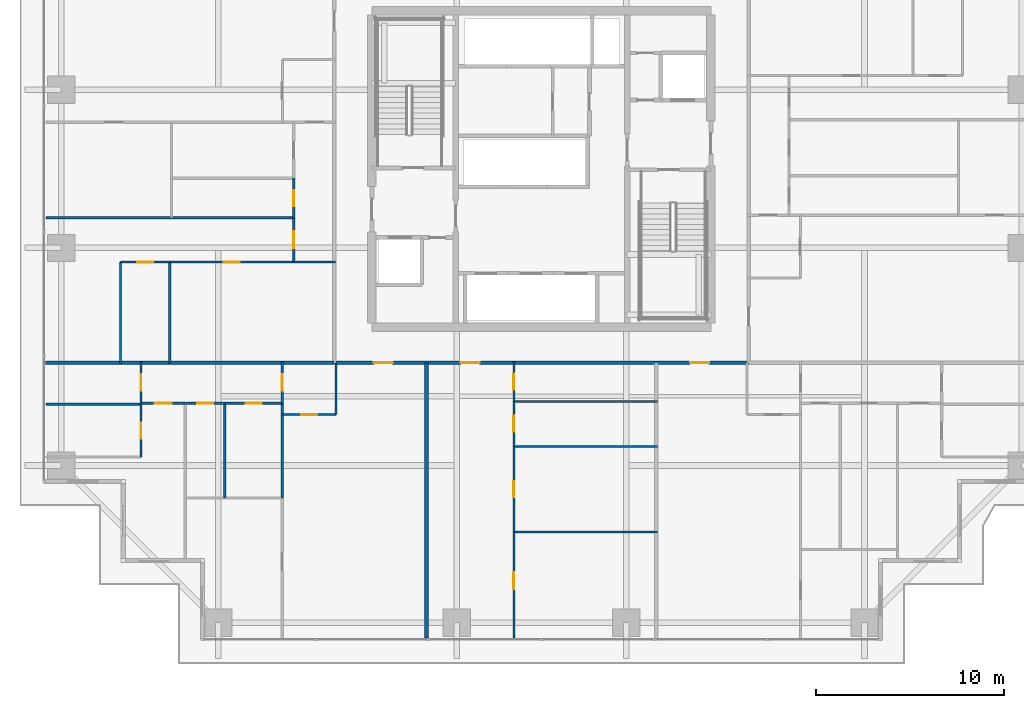
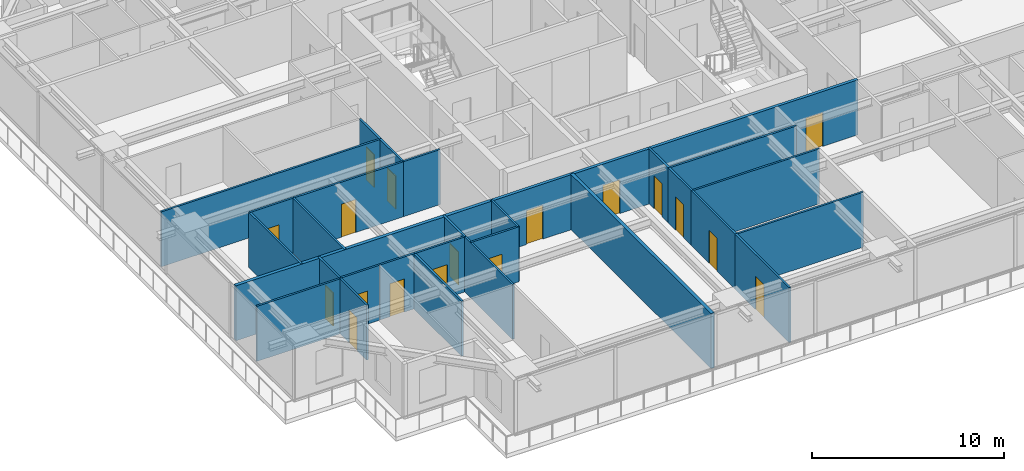
# One storey, part 26 of 37: 29 walls, 18 doors, 18 openings.
"""IFC4 building model written with IfcOpenShell, lengths in metres."""

import ifcopenshell
import ifcopenshell.guid

model = None  # the IFC model being written
_history = None  # IfcOwnerHistory: only IFC2X3 demands one
_inside = {}  # id of a spatial element -> (the spatial element, [elements in it])
_under = {}  # id of a project, library or spatial element -> (it, [spatial elements below it])
_declared = {}  # id of a project -> (the project, [libraries it declares])
_typed = {}  # id of a type object -> (the type object, [elements of that type])
_made_of = {}  # id of a material, layer set ... -> (it, [elements and type objects made of it])


def new_model(schema):
    """Start an empty IFC model of exactly this schema.

    Asked for "IFC4X3", IfcOpenShell would pick the latest addendum, in which some entities
    have other attributes; the version numbers below select the first issue.
    IFC2X3 requires an IfcOwnerHistory on every rooted entity: one is made here for all.
    """
    global model, _history
    if schema == "IFC4X3":
        model = ifcopenshell.file(schema_version=(4, 3, 0, 0))
    else:
        model = ifcopenshell.file(schema=schema)
    _inside.clear()
    _under.clear()
    _declared.clear()
    _typed.clear()
    _made_of.clear()
    _history = None
    if model.schema == "IFC2X3":
        org = make("IfcOrganization", Name="unknown")
        user = make(
            "IfcPersonAndOrganization",
            ThePerson=make("IfcPerson", FamilyName="unknown"),
            TheOrganization=org,
        )
        app = make(
            "IfcApplication",
            ApplicationDeveloper=org,
            Version="unknown",
            ApplicationFullName="unknown",
            ApplicationIdentifier="unknown",
        )
        _history = make(
            "IfcOwnerHistory",
            OwningUser=user,
            OwningApplication=app,
            ChangeAction="ADDED",
            CreationDate=0,
        )
    return model


def make(cls, **values):
    """One entity of the class cls with the attributes given. An attribute that is None is left unset."""
    return model.create_entity(
        cls, **{name: value for name, value in values.items() if value is not None}
    )


def rooted(cls, **values):
    """An entity with a GlobalId (a new one), such as an element, a storey or a relation."""
    return make(cls, GlobalId=ifcopenshell.guid.new(), OwnerHistory=_history, **values)


def si_unit(unit_type, name, prefix=None):
    """IfcSIUnit, for example si_unit("LENGTHUNIT", "METRE", prefix="MILLI")."""
    return make("IfcSIUnit", UnitType=unit_type, Prefix=prefix, Name=name)


def assignment(units):
    """IfcUnitAssignment: the units of a project."""
    return None if units is None else make("IfcUnitAssignment", Units=units)


def point(xyz):
    """IfcCartesianPoint."""
    return None if xyz is None else make("IfcCartesianPoint", Coordinates=xyz)


def direction(xyz):
    """IfcDirection."""
    return None if xyz is None else make("IfcDirection", DirectionRatios=xyz)


def frame(location, z_axis=None, x_axis=None):
    """IfcAxis2Placement3D, a coordinate frame: its origin and axes. An axis left out is left unset."""
    return make(
        "IfcAxis2Placement3D",
        Location=point(location),
        Axis=direction(z_axis),
        RefDirection=direction(x_axis),
    )


def frame_2d(location, x_axis=None):
    """IfcAxis2Placement2D, a coordinate frame in the plane: its origin and x axis."""
    return make(
        "IfcAxis2Placement2D", Location=point(location), RefDirection=direction(x_axis)
    )


def origin():
    """The frame at (0, 0, 0) with its axes left unset."""
    return frame((0.0, 0.0, 0.0))


def place(relative_to, where):
    """IfcLocalPlacement: puts the frame where relative to a parent placement (None: the world)."""
    return make(
        "IfcLocalPlacement", PlacementRelTo=relative_to, RelativePlacement=where
    )


def context(
    kind, dimensions, precision=None, world=None, true_north=None, identifier=None
):
    """IfcGeometricRepresentationContext, for example the 3D "Model" context."""
    return make(
        "IfcGeometricRepresentationContext",
        ContextIdentifier=identifier,
        ContextType=kind,
        CoordinateSpaceDimension=dimensions,
        Precision=precision,
        WorldCoordinateSystem=world,
        TrueNorth=true_north,
    )


def subcontext(parent, identifier, kind, view, scale=None):
    """IfcGeometricRepresentationSubContext, for example "Body" below "Model"."""
    return make(
        "IfcGeometricRepresentationSubContext",
        ContextIdentifier=identifier,
        ContextType=kind,
        ParentContext=parent,
        TargetScale=scale,
        TargetView=view,
    )


def project(units=None, contexts=None):
    """IfcProject with its units and contexts."""
    return rooted(
        "IfcProject",
        Name="project",
        RepresentationContexts=contexts,
        UnitsInContext=assignment(units),
    )


def spatial(cls, under=None, at=None, **own):
    """A site, building, storey or space (cls), placed at a placement, below another one or the project."""
    s = rooted(cls, ObjectPlacement=at, **own)
    if under is not None:
        _under.setdefault(under.id(), (under, []))[1].append(s)
    return s


def profile(cls, at=None, kind="AREA", **sizes):
    """A parametric profile (cls). Its sizes go by their IFC names, for example OverallWidth=200.0."""
    return make(cls, ProfileType=kind, Position=at, **sizes)


def rectangle(**sizes):
    """IfcRectangleProfileDef."""
    return profile("IfcRectangleProfileDef", **sizes)


def extrude(swept, where, along, depth):
    """IfcExtrudedAreaSolid: the profile swept, set in the frame where, extruded along a direction by depth."""
    return make(
        "IfcExtrudedAreaSolid",
        SweptArea=swept,
        Position=where,
        ExtrudedDirection=direction(along),
        Depth=depth,
    )


def shape(context_of_items, identifier, shape_type, items):
    """IfcShapeRepresentation: the items that make up one representation, for example the "Body"."""
    return make(
        "IfcShapeRepresentation",
        ContextOfItems=context_of_items,
        RepresentationIdentifier=identifier,
        RepresentationType=shape_type,
        Items=items,
    )


def source(mapping_origin, context_of_items, identifier, shape_type, items):
    """IfcRepresentationMap: a shape defined once, which mapped items show again and again."""
    return make(
        "IfcRepresentationMap",
        MappingOrigin=mapping_origin,
        MappedRepresentation=shape(context_of_items, identifier, shape_type, items),
    )


def transform(
    local_origin,
    x_axis=None,
    y_axis=None,
    z_axis=None,
    scale=None,
    scale2=None,
    scale3=None,
    uniform=True,
):
    """IfcCartesianTransformationOperator3D, or its non-uniform kind. x_axis, y_axis, z_axis: its Axis1, 2, 3."""
    if uniform:
        return make(
            "IfcCartesianTransformationOperator3D",
            Axis1=direction(x_axis),
            Axis2=direction(y_axis),
            LocalOrigin=point(local_origin),
            Scale=scale,
            Axis3=direction(z_axis),
        )
    return make(
        "IfcCartesianTransformationOperator3DnonUniform",
        Axis1=direction(x_axis),
        Axis2=direction(y_axis),
        LocalOrigin=point(local_origin),
        Scale=scale,
        Axis3=direction(z_axis),
        Scale2=scale2,
        Scale3=scale3,
    )


def mapped(mapping_source, mapping_target):
    """IfcMappedItem: shows the shape of a source again, moved by a transform."""
    return make(
        "IfcMappedItem", MappingSource=mapping_source, MappingTarget=mapping_target
    )


def material(Name=None, Category=None):
    """IfcMaterial."""
    return make("IfcMaterial", Name=Name, Category=Category)


def layer(
    of_material, thickness, ventilated=None, Name=None, Category=None, Priority=None
):
    """IfcMaterialLayer: one layer of a wall or slab, of a material (None: an air gap)."""
    return make(
        "IfcMaterialLayer",
        Material=of_material,
        LayerThickness=thickness,
        IsVentilated=ventilated,
        Name=Name,
        Category=Category,
        Priority=Priority,
    )


def layer_set(layers, Name=None):
    """IfcMaterialLayerSet."""
    return make("IfcMaterialLayerSet", MaterialLayers=layers, LayerSetName=Name)


def made_of(thing, what):
    """Note that an element or type object is made of a material, layer set ...; save() writes the relation."""
    if what is not None:
        _made_of.setdefault(what.id(), (what, []))[1].append(thing)
    return thing


def type_object(cls, material=None, **own):
    """A type object (cls), such as IfcWallType, which elements share."""
    return made_of(rooted(cls, **own), material)


def element(
    cls,
    number,
    at=None,
    inside=None,
    cuts=None,
    type_object=None,
    material=None,
    context=None,
    identifier="Body",
    shape_type=None,
    held_by="IfcProductDefinitionShape",
    body=None,
    shapes=None,
    **own,
):
    """One element of the class cls, such as IfcWall. Its Tag is "e" and its number.

    at: its placement. inside: the storey or other place that contains it. cuts: it is an
    opening in that element (IfcRelVoidsElement). A single representation is given by context,
    identifier, shape_type and body (its items); several are given by shapes. held_by: the class
    of the entity that holds the representations. save() writes the other relations.
    """
    e = rooted(cls, Tag="e%d" % number, ObjectPlacement=at, **own)
    if body is not None:
        shapes = [shape(context, identifier, shape_type, body)]
    if shapes is not None:
        e.Representation = make(held_by, Representations=shapes)
    if inside is not None:
        _inside.setdefault(inside.id(), (inside, []))[1].append(e)
    if cuts is not None:
        rooted(
            "IfcRelVoidsElement", RelatingBuildingElement=cuts, RelatedOpeningElement=e
        )
    if type_object is not None:
        _typed.setdefault(type_object.id(), (type_object, []))[1].append(e)
    return made_of(e, material)


def fill(opening, filler):
    """IfcRelFillsElement: the door or window that sits in an opening."""
    return rooted(
        "IfcRelFillsElement",
        RelatingOpeningElement=opening,
        RelatedBuildingElement=filler,
    )


def aggregate(whole, parts):
    """IfcRelAggregates: a whole, such as a stair, and the parts it consists of."""
    return rooted("IfcRelAggregates", RelatingObject=whole, RelatedObjects=parts)


def save(model, path):
    """Write the relations noted so far, then the file.

    IfcRelAggregates (storeys below a building ...), IfcRelContainedInSpatialStructure (elements
    in a storey), IfcRelDefinesByType, IfcRelAssociatesMaterial and IfcRelDeclares: one each for
    every whole, place, type object, material and project.
    """
    for whole, parts in _under.values():
        aggregate(whole, parts)
    for where, things in _inside.values():
        rooted(
            "IfcRelContainedInSpatialStructure",
            RelatedElements=things,
            RelatingStructure=where,
        )
    for kind, things in _typed.values():
        rooted("IfcRelDefinesByType", RelatedObjects=things, RelatingType=kind)
    for what, things in _made_of.values():
        rooted("IfcRelAssociatesMaterial", RelatedObjects=things, RelatingMaterial=what)
    for by, libraries in _declared.values():
        rooted("IfcRelDeclares", RelatingContext=by, RelatedDefinitions=libraries)
    model.write(path)


model = new_model("IFC4")

# Units and contexts
model_context = context("Model", 3, precision=1e-05, world=origin(), true_north=direction((0.0, 1.0)))
body_context = subcontext(model_context, "Body", "Model", "MODEL_VIEW")
ifc_project = project(units=[si_unit("LENGTHUNIT", "METRE"), si_unit("AREAUNIT", "SQUARE_METRE"), si_unit("VOLUMEUNIT", "CUBIC_METRE"), si_unit("PLANEANGLEUNIT", "RADIAN"), si_unit("MASSUNIT", "GRAM", prefix="KILO")], contexts=[model_context])

# Site, building, storey
site_placement = place(None, origin())
site = spatial("IfcSite", under=ifc_project, at=site_placement, CompositionType="ELEMENT")
building_placement = place(site_placement, origin())
building = spatial("IfcBuilding", under=site, at=building_placement, Name="Serunith Strait Residences", CompositionType="ELEMENT")
storey_placement = place(building_placement, frame((0.0, 0.0, 26.699951171875)))
storey = spatial("IfcBuildingStorey", under=building, at=storey_placement, Name="L05", CompositionType="ELEMENT", Elevation=26.699951171875)

# Wall, openings, doors
ifc_material_1 = material(Name="Fire-rated acoustic gypsum partition")
ifc_layer_1 = layer(ifc_material_1, 0.179931640625, Name="Fire-rated acoustic gypsum partition")
ifc_layer_set_1 = layer_set([ifc_layer_1], Name="Fire-rated acoustic gypsum partition")
wall_type_1 = type_object("IfcWallType", Name="IW-CORR-180", PredefinedType="PARTITIONING", material=ifc_layer_set_1)
wall_1_placement = place(storey_placement, frame((21.402099609375, 14.89990234375, 0.0), z_axis=(0.0, 0.0, 1.0), x_axis=(1.0, 0.0, 0.0)))
wall_1 = element("IfcWall", 1, at=wall_1_placement, inside=storey, type_object=wall_type_1, Name="L05 Partition Wall 023", PredefinedType="PARTITIONING", context=body_context, shape_type="SweptSolid", body=[
    extrude(rectangle(XDim=21.995849609375, YDim=0.179931640625, at=frame_2d((10.998046875, 0.0))), origin(), (0.0, 0.0, 1.0), 3.489990234375),
])
opening_1_placement = place(wall_1_placement, frame((2.10009765625, 0.0, 0.0)))
opening_1 = element("IfcOpeningElement", 2, at=opening_1_placement, cuts=wall_1, Name="Opening D-APT1000", PredefinedType="OPENING", context=body_context, shape_type="SweptSolid", body=[
    extrude(rectangle(XDim=1.0, YDim=2.14990234375, at=frame_2d((0.5, 1.074951171875))), frame((0.0, 0.10009765625, 0.0), z_axis=(0.0, -1.0, 0.0), x_axis=(1.0, 0.0, 0.0)), (0.0, 0.0, 1.0), 0.199951171875),
])
opening_2_placement = place(wall_1_placement, frame((6.718994140625, 0.0, 0.0)))
opening_2 = element("IfcOpeningElement", 3, at=opening_2_placement, cuts=wall_1, Name="Opening D-APT1000", PredefinedType="OPENING", context=body_context, shape_type="SweptSolid", body=[
    extrude(rectangle(XDim=1.0, YDim=2.14990234375, at=frame_2d((0.5, 1.074951171875))), frame((0.0, 0.10009765625, 0.0), z_axis=(0.0, -1.0, 0.0), x_axis=(1.0, 0.0, 0.0)), (0.0, 0.0, 1.0), 0.199951171875),
])
opening_3_placement = place(wall_1_placement, frame((18.89599609375, 0.0, 0.0)))
opening_3 = element("IfcOpeningElement", 4, at=opening_3_placement, cuts=wall_1, Name="Opening D-APT1000", PredefinedType="OPENING", context=body_context, shape_type="SweptSolid", body=[
    extrude(rectangle(XDim=1.0, YDim=2.14990234375, at=frame_2d((0.5, 1.074951171875))), frame((0.0, 0.10009765625, 0.0), z_axis=(0.0, -1.0, 0.0), x_axis=(1.0, 0.0, 0.0)), (0.0, 0.0, 1.0), 0.199951171875),
])
ifc_material_2 = material(Name="Solid timber engineered fire door", Category="wood")
door_type_1 = type_object("IfcDoorType", Name="ID-APT-1000", OperationType="NOTDEFINED", PredefinedType="DOOR", material=ifc_material_2)
shared_shape_1 = source(origin(), body_context, "Body", "SweptSolid", [
    extrude(rectangle(XDim=1.0, YDim=2.14990234375, at=frame_2d((0.5, 1.074951171875))), frame((0.0, 0.02490234375, 0.0), z_axis=(0.0, -1.0, 0.0), x_axis=(1.0, 0.0, 0.0)), (0.0, 0.0, 1.0), 0.050048828125),
])
door_1_placement = place(opening_1_placement, origin())
door_1 = element("IfcDoor", 5, at=door_1_placement, inside=storey, type_object=door_type_1, Name="L05 Unit 01 Entrance Door", OperationType="SINGLE_SWING_LEFT", OverallHeight=2.14990234375, OverallWidth=1.0, PredefinedType="DOOR", context=body_context, shape_type="MappedRepresentation", body=[
    mapped(shared_shape_1, transform((0.0, 0.0, 0.0), scale=1.0)),
])
fill(opening_1, door_1)
door_2_placement = place(opening_2_placement, origin())
door_2 = element("IfcDoor", 6, at=door_2_placement, inside=storey, type_object=door_type_1, Name="L05 Unit 02 Entrance Door", OperationType="SINGLE_SWING_RIGHT", OverallHeight=2.14990234375, OverallWidth=1.0, PredefinedType="DOOR", context=body_context, shape_type="MappedRepresentation", body=[
    mapped(shared_shape_1, transform((0.0, 0.0, 0.0), scale=1.0)),
])
fill(opening_2, door_2)
door_3_placement = place(opening_3_placement, origin())
door_3 = element("IfcDoor", 7, at=door_3_placement, inside=storey, type_object=door_type_1, Name="L05 Unit 03 Entrance Door", OperationType="SINGLE_SWING_LEFT", OverallHeight=2.14990234375, OverallWidth=1.0, PredefinedType="DOOR", context=body_context, shape_type="MappedRepresentation", body=[
    mapped(shared_shape_1, transform((0.0, 0.0, 0.0), scale=1.0)),
])
fill(opening_3, door_3)

# Wall, opening, door
ifc_material_3 = material(Name="Lightweight steel-stud gypsum partition", Category="steel")
ifc_layer_2 = layer(ifc_material_3, 0.1201171875, Name="Lightweight steel-stud gypsum partition")
ifc_layer_set_2 = layer_set([ifc_layer_2], Name="Lightweight steel-stud gypsum partition")
wall_type_2 = type_object("IfcWallType", Name="IW-PART-120", PredefinedType="PARTITIONING", material=ifc_layer_set_2)
wall_2_placement = place(storey_placement, frame((18.639892578125, 12.14990234375, 0.0), z_axis=(0.0, 0.0, 1.0), x_axis=(1.0, 0.0, 0.0)))
wall_2 = element("IfcWall", 8, at=wall_2_placement, inside=storey, type_object=wall_type_2, Name="L05 Partition Wall 027", PredefinedType="PARTITIONING", context=body_context, shape_type="SweptSolid", body=[
    extrude(rectangle(XDim=2.85009765625, YDim=0.1201171875, at=frame_2d((1.425048828125, 0.0))), origin(), (0.0, 0.0, 1.0), 3.489990234375),
])
opening_4_placement = place(wall_2_placement, frame((1.0, 0.0, 0.0)))
opening_4 = element("IfcOpeningElement", 9, at=opening_4_placement, cuts=wall_2, Name="Opening D-RM850", PredefinedType="OPENING", context=body_context, shape_type="SweptSolid", body=[
    extrude(rectangle(XDim=0.85009765625, YDim=2.10009765625, at=frame_2d((0.425048828125, 1.050048828125))), frame((0.0, 0.070068359375, 0.0), z_axis=(0.0, -1.0, 0.0), x_axis=(1.0, 0.0, 0.0)), (0.0, 0.0, 1.0), 0.14013671875),
])
ifc_material_4 = material(Name="Engineered timber flush study and kitchen door", Category="wood")
door_type_2 = type_object("IfcDoorType", Name="ID-ROOM-850", OperationType="NOTDEFINED", PredefinedType="DOOR", material=ifc_material_4)
shared_shape_2 = source(origin(), body_context, "Body", "SweptSolid", [
    extrude(rectangle(XDim=0.85009765625, YDim=2.10009765625, at=frame_2d((0.425048828125, 1.050048828125))), frame((0.0, 0.02490234375, 0.0), z_axis=(0.0, -1.0, 0.0), x_axis=(1.0, 0.0, 0.0)), (0.0, 0.0, 1.0), 0.050048828125),
])
door_4_placement = place(opening_4_placement, origin())
door_4 = element("IfcDoor", 10, at=door_4_placement, inside=storey, type_object=door_type_2, Name="L05 Kitchen 0501 Door", OperationType="SINGLE_SWING_LEFT", OverallHeight=2.10009765625, OverallWidth=0.85009765625, PredefinedType="DOOR", context=body_context, shape_type="MappedRepresentation", body=[
    mapped(shared_shape_2, transform((0.0, 0.0, 0.0), scale=1.0)),
])
fill(opening_4, door_4)

# Wall
wall_3_placement = place(storey_placement, frame((21.489990234375, 12.14990234375, 0.0), z_axis=(0.0, 0.0, 1.0), x_axis=(0.0, 1.0, 0.0)))
element("IfcWall", 11, at=wall_3_placement, inside=storey, type_object=wall_type_2, Name="L05 Partition Wall 028", PredefinedType="PARTITIONING", context=body_context, shape_type="SweptSolid", body=[
    extrude(rectangle(XDim=2.748046875, YDim=0.1201171875, at=frame_2d((1.3740234375, 0.0))), origin(), (0.0, 0.0, 1.0), 3.489990234375),
])

# Wall, opening, door
wall_4_placement = place(storey_placement, frame((18.639892578125, 12.75, 0.0), z_axis=(0.0, 0.0, 1.0), x_axis=(0.0, 1.0, 0.0)))
wall_4 = element("IfcWall", 12, at=wall_4_placement, inside=storey, type_object=wall_type_2, Name="L05 Partition Wall 029", PredefinedType="PARTITIONING", context=body_context, shape_type="SweptSolid", body=[
    extrude(rectangle(XDim=2.2099609375, YDim=0.1201171875, at=frame_2d((1.10498046875, 0.0))), origin(), (0.0, 0.0, 1.0), 3.489990234375),
])
opening_5_placement = place(wall_4_placement, frame((0.655029296875, 0.0, 0.0)))
opening_5 = element("IfcOpeningElement", 13, at=opening_5_placement, cuts=wall_4, Name="Opening D-RM900", PredefinedType="OPENING", context=body_context, shape_type="SweptSolid", body=[
    extrude(rectangle(XDim=0.89990234375, YDim=2.10009765625, at=frame_2d((0.449951171875, 1.050048828125))), frame((0.0, 0.070068359375, 0.0), z_axis=(0.0, -1.0, 0.0), x_axis=(1.0, 0.0, 0.0)), (0.0, 0.0, 1.0), 0.14013671875),
])
ifc_material_5 = material(Name="Engineered timber flush bedroom door", Category="wood")
door_type_3 = type_object("IfcDoorType", Name="ID-ROOM-900", OperationType="NOTDEFINED", PredefinedType="DOOR", material=ifc_material_5)
shared_shape_3 = source(origin(), body_context, "Body", "SweptSolid", [
    extrude(rectangle(XDim=0.89990234375, YDim=2.10009765625, at=frame_2d((0.449951171875, 1.050048828125))), frame((0.0, 0.02490234375, 0.0), z_axis=(0.0, -1.0, 0.0), x_axis=(1.0, 0.0, 0.0)), (0.0, 0.0, 1.0), 0.050048828125),
])
door_5_placement = place(opening_5_placement, origin())
door_5 = element("IfcDoor", 14, at=door_5_placement, inside=storey, type_object=door_type_3, Name="L05 Hall W 0501 Door", OperationType="SINGLE_SWING_RIGHT", OverallHeight=2.10009765625, OverallWidth=0.89990234375, PredefinedType="DOOR", context=body_context, shape_type="MappedRepresentation", body=[
    mapped(shared_shape_3, transform((0.0, 0.0, 0.0), scale=1.0)),
])
fill(opening_5, door_5)

# Walls
wall_5_placement = place(storey_placement, frame((18.639892578125, 7.72998046875, 0.0), z_axis=(0.0, 0.0, 1.0), x_axis=(0.0, 1.0, 0.0)))
element("IfcWall", 15, at=wall_5_placement, inside=storey, type_object=wall_type_2, Name="L05 Partition Wall 031", PredefinedType="PARTITIONING", context=body_context, shape_type="SweptSolid", body=[
    extrude(rectangle(XDim=5.01806640625, YDim=0.1201171875, at=frame_2d((2.509033203125, 0.0))), origin(), (0.0, 0.0, 1.0), 3.489990234375),
])
wall_6_placement = place(storey_placement, frame((15.590087890625, 7.72802734375, 0.0), z_axis=(0.0, 0.0, 1.0), x_axis=(0.0, 1.0, 0.0)))
element("IfcWall", 16, at=wall_6_placement, inside=storey, type_object=wall_type_2, Name="L05 Partition Wall 034", PredefinedType="PARTITIONING", context=body_context, shape_type="SweptSolid", body=[
    extrude(rectangle(XDim=5.02197265625, YDim=0.1201171875, at=frame_2d((2.510986328125, 0.0))), origin(), (0.0, 0.0, 1.0), 3.489990234375),
])

# Wall, opening, door
wall_7_placement = place(storey_placement, frame((13.489990234375, 12.75, 0.0), z_axis=(0.0, 0.0, 1.0), x_axis=(1.0, 0.0, 0.0)))
wall_7 = element("IfcWall", 17, at=wall_7_placement, inside=storey, type_object=wall_type_2, Name="L05 Partition Wall 035", PredefinedType="PARTITIONING", context=body_context, shape_type="SweptSolid", body=[
    extrude(rectangle(XDim=2.10009765625, YDim=0.1201171875, at=frame_2d((1.050048828125, 0.0))), origin(), (0.0, 0.0, 1.0), 3.489990234375),
])
opening_6_placement = place(wall_7_placement, frame((0.625, 0.0, 0.0)))
opening_6 = element("IfcOpeningElement", 18, at=opening_6_placement, cuts=wall_7, Name="Opening D-BTH850", PredefinedType="OPENING", context=body_context, shape_type="SweptSolid", body=[
    extrude(rectangle(XDim=0.85009765625, YDim=2.10009765625, at=frame_2d((0.425048828125, 1.050048828125))), frame((0.0, 0.070068359375, 0.0), z_axis=(0.0, -1.0, 0.0), x_axis=(1.0, 0.0, 0.0)), (0.0, 0.0, 1.0), 0.14013671875),
])
ifc_material_6 = material(Name="Moisture-resistant timber bathroom door", Category="wood")
door_type_4 = type_object("IfcDoorType", Name="ID-BATH-850", OperationType="NOTDEFINED", PredefinedType="DOOR", material=ifc_material_6)
door_6_placement = place(opening_6_placement, origin())
door_6 = element("IfcDoor", 19, at=door_6_placement, inside=storey, type_object=door_type_4, Name="L05 Bathroom 0501 Door", OperationType="SINGLE_SWING_RIGHT", OverallHeight=2.10009765625, OverallWidth=0.85009765625, PredefinedType="DOOR", context=body_context, shape_type="MappedRepresentation", body=[
    mapped(shared_shape_2, transform((0.0, 0.0, 0.0), scale=1.0)),
])
fill(opening_6, door_6)

wall_8_placement = place(storey_placement, frame((15.592041015625, 12.75, 0.0), z_axis=(0.0, 0.0, 1.0), x_axis=(1.0, 0.0, 0.0)))
wall_8 = element("IfcWall", 20, at=wall_8_placement, inside=storey, type_object=wall_type_2, Name="L05 Partition Wall 036", PredefinedType="PARTITIONING", context=body_context, shape_type="SweptSolid", body=[
    extrude(rectangle(XDim=3.0478515625, YDim=0.1201171875, at=frame_2d((1.52392578125, 0.0))), origin(), (0.0, 0.0, 1.0), 3.489990234375),
])
opening_7_placement = place(wall_8_placement, frame((1.09912109375, 0.0, 0.0)))
opening_7 = element("IfcOpeningElement", 21, at=opening_7_placement, cuts=wall_8, Name="Opening D-RM850", PredefinedType="OPENING", context=body_context, shape_type="SweptSolid", body=[
    extrude(rectangle(XDim=0.85009765625, YDim=2.10009765625, at=frame_2d((0.425048828125, 1.050048828125))), frame((0.0, 0.070068359375, 0.0), z_axis=(0.0, -1.0, 0.0), x_axis=(1.0, 0.0, 0.0)), (0.0, 0.0, 1.0), 0.14013671875),
])
door_7_placement = place(opening_7_placement, origin())
door_7 = element("IfcDoor", 22, at=door_7_placement, inside=storey, type_object=door_type_2, Name="L05 Formal Dining Room 0501 Door", OperationType="SINGLE_SWING_LEFT", OverallHeight=2.10009765625, OverallWidth=0.85009765625, PredefinedType="DOOR", context=body_context, shape_type="MappedRepresentation", body=[
    mapped(shared_shape_2, transform((0.0, 0.0, 0.0), scale=1.0)),
])
fill(opening_7, door_7)

wall_9_placement = place(storey_placement, frame((11.139892578125, 12.75, 0.0), z_axis=(0.0, 0.0, 1.0), x_axis=(1.0, 0.0, 0.0)))
wall_9 = element("IfcWall", 23, at=wall_9_placement, inside=storey, type_object=wall_type_2, Name="L05 Partition Wall 037", PredefinedType="PARTITIONING", context=body_context, shape_type="SweptSolid", body=[
    extrude(rectangle(XDim=2.34814453125, YDim=0.1201171875, at=frame_2d((1.174072265625, 0.0))), origin(), (0.0, 0.0, 1.0), 3.489990234375),
])
opening_8_placement = place(wall_9_placement, frame((0.72412109375, 0.0, 0.0)))
opening_8 = element("IfcOpeningElement", 24, at=opening_8_placement, cuts=wall_9, Name="Opening D-RM900", PredefinedType="OPENING", context=body_context, shape_type="SweptSolid", body=[
    extrude(rectangle(XDim=0.89990234375, YDim=2.10009765625, at=frame_2d((0.449951171875, 1.050048828125))), frame((0.0, 0.070068359375, 0.0), z_axis=(0.0, -1.0, 0.0), x_axis=(1.0, 0.0, 0.0)), (0.0, 0.0, 1.0), 0.14013671875),
])
door_8_placement = place(opening_8_placement, origin())
door_8 = element("IfcDoor", 25, at=door_8_placement, inside=storey, type_object=door_type_3, Name="L05 Master Bedroom W 0501 Door", OperationType="SINGLE_SWING_RIGHT", OverallHeight=2.10009765625, OverallWidth=0.89990234375, PredefinedType="DOOR", context=body_context, shape_type="MappedRepresentation", body=[
    mapped(shared_shape_3, transform((0.0, 0.0, 0.0), scale=1.0)),
])
fill(opening_8, door_8)

# Wall
wall_10_placement = place(storey_placement, frame((6.094970703125, 12.701904296875, 0.0), z_axis=(0.0, 0.0, 1.0), x_axis=(1.0, 0.0, 0.0)))
element("IfcWall", 26, at=wall_10_placement, inside=storey, type_object=wall_type_2, Name="L05 Partition Wall 039", PredefinedType="PARTITIONING", context=body_context, shape_type="SweptSolid", body=[
    extrude(rectangle(XDim=5.04296875, YDim=0.1201171875, at=frame_2d((2.521484375, 0.0))), origin(), (0.0, 0.0, 1.0), 3.489990234375),
])

# Wall, opening, door
wall_11_placement = place(storey_placement, frame((11.139892578125, 9.89404296875, 0.0), z_axis=(0.0, 0.0, 1.0), x_axis=(0.0, 1.0, 0.0)))
wall_11 = element("IfcWall", 27, at=wall_11_placement, inside=storey, type_object=wall_type_2, Name="L05 Partition Wall 040", PredefinedType="PARTITIONING", context=body_context, shape_type="SweptSolid", body=[
    extrude(rectangle(XDim=2.807861328125, YDim=0.1201171875, at=frame_2d((1.40380859375, 0.0))), origin(), (0.0, 0.0, 1.0), 3.489990234375),
])
opening_9_placement = place(wall_11_placement, frame((0.97900390625, 0.0, 0.0)))
opening_9 = element("IfcOpeningElement", 28, at=opening_9_placement, cuts=wall_11, Name="Opening D-BTH850", PredefinedType="OPENING", context=body_context, shape_type="SweptSolid", body=[
    extrude(rectangle(XDim=0.85009765625, YDim=2.10009765625, at=frame_2d((0.425048828125, 1.050048828125))), frame((0.0, 0.070068359375, 0.0), z_axis=(0.0, -1.0, 0.0), x_axis=(1.0, 0.0, 0.0)), (0.0, 0.0, 1.0), 0.14013671875),
])
door_9_placement = place(opening_9_placement, origin())
door_9 = element("IfcDoor", 29, at=door_9_placement, inside=storey, type_object=door_type_4, Name="L05 En-suite Bathroom W 0501 Door", OperationType="SINGLE_SWING_LEFT", OverallHeight=2.10009765625, OverallWidth=0.85009765625, PredefinedType="DOOR", context=body_context, shape_type="MappedRepresentation", body=[
    mapped(shared_shape_2, transform((0.0, 0.0, 0.0), scale=1.0)),
])
fill(opening_9, door_9)

wall_12_placement = place(storey_placement, frame((11.139892578125, 12.75, 0.0), z_axis=(0.0, 0.0, 1.0), x_axis=(0.0, 1.0, 0.0)))
wall_12 = element("IfcWall", 30, at=wall_12_placement, inside=storey, type_object=wall_type_2, Name="L05 Partition Wall 041", PredefinedType="PARTITIONING", context=body_context, shape_type="SweptSolid", body=[
    extrude(rectangle(XDim=2.2099609375, YDim=0.1201171875, at=frame_2d((1.10498046875, 0.0))), origin(), (0.0, 0.0, 1.0), 3.489990234375),
])
opening_10_placement = place(wall_12_placement, frame((0.679931640625, 0.0, 0.0)))
opening_10 = element("IfcOpeningElement", 31, at=opening_10_placement, cuts=wall_12, Name="Opening D-RM850", PredefinedType="OPENING", context=body_context, shape_type="SweptSolid", body=[
    extrude(rectangle(XDim=0.85009765625, YDim=2.10009765625, at=frame_2d((0.425048828125, 1.050048828125))), frame((0.0, 0.070068359375, 0.0), z_axis=(0.0, -1.0, 0.0), x_axis=(1.0, 0.0, 0.0)), (0.0, 0.0, 1.0), 0.14013671875),
])
door_10_placement = place(opening_10_placement, origin())
door_10 = element("IfcDoor", 32, at=door_10_placement, inside=storey, type_object=door_type_2, Name="L05 Wardrobe W 0501 Door", OperationType="SINGLE_SWING_RIGHT", OverallHeight=2.10009765625, OverallWidth=0.85009765625, PredefinedType="DOOR", context=body_context, shape_type="MappedRepresentation", body=[
    mapped(shared_shape_2, transform((0.0, 0.0, 0.0), scale=1.0)),
])
fill(opening_10, door_10)

wall_13_placement = place(storey_placement, frame((30.93994140625, 0.294921875, 0.0), z_axis=(0.0, 0.0, 1.0), x_axis=(0.0, 1.0, 0.0)))
wall_13 = element("IfcWall", 33, at=wall_13_placement, inside=storey, type_object=wall_type_2, Name="L05 Partition Wall 042", PredefinedType="PARTITIONING", context=body_context, shape_type="SweptSolid", body=[
    extrude(rectangle(XDim=5.619140625, YDim=0.1201171875, at=frame_2d((2.8095703125, 0.0))), origin(), (0.0, 0.0, 1.0), 3.489990234375),
])
opening_11_placement = place(wall_13_placement, frame((2.594970703125, 0.0, 0.0)))
opening_11 = element("IfcOpeningElement", 34, at=opening_11_placement, cuts=wall_13, Name="Opening D-RM900", PredefinedType="OPENING", context=body_context, shape_type="SweptSolid", body=[
    extrude(rectangle(XDim=0.89990234375, YDim=2.10009765625, at=frame_2d((0.449951171875, 1.050048828125))), frame((0.0, 0.070068359375, 0.0), z_axis=(0.0, -1.0, 0.0), x_axis=(1.0, 0.0, 0.0)), (0.0, 0.0, 1.0), 0.14013671875),
])
door_11_placement = place(opening_11_placement, origin())
door_11 = element("IfcDoor", 35, at=door_11_placement, inside=storey, type_object=door_type_3, Name="L05 Master Bedroom 1 0502 Door", OperationType="SINGLE_SWING_LEFT", OverallHeight=2.10009765625, OverallWidth=0.89990234375, PredefinedType="DOOR", context=body_context, shape_type="MappedRepresentation", body=[
    mapped(shared_shape_3, transform((0.0, 0.0, 0.0), scale=1.0)),
])
fill(opening_11, door_11)

# Walls
for number, where, z_axis, x_axis, name in (
    (36, (30.93994140625, 5.9140625, 0.0), (0.0, 0.0, 1.0), (1.0, 0.0, 0.0), "L05 Partition Wall 043"),
    (37, (30.93994140625, 10.4560546875, 0.0), (0.0, 0.0, 1.0), (1.0, 0.0, 0.0), "L05 Partition Wall 044"),
    (38, (30.93994140625, 12.85009765625, 0.0), (0.0, 0.0, 1.0), (1.0, 0.0, 0.0), "L05 Partition Wall 045"),
):
    element("IfcWall", number, at=place(storey_placement, frame(where, z_axis=z_axis, x_axis=x_axis)), inside=storey, type_object=wall_type_2, Name=name, PredefinedType="PARTITIONING", context=body_context, shape_type="SweptSolid", body=[
        extrude(rectangle(XDim=7.6201171875, YDim=0.1201171875, at=frame_2d((3.81005859375, 0.0))), origin(), (0.0, 0.0, 1.0), 3.489990234375),
    ])

# Wall, opening, door
wall_14_placement = place(storey_placement, frame((30.93994140625, 5.916015625, 0.0), z_axis=(0.0, 0.0, 1.0), x_axis=(0.0, 1.0, 0.0)))
wall_14 = element("IfcWall", 39, at=wall_14_placement, inside=storey, type_object=wall_type_2, Name="L05 Partition Wall 046", PredefinedType="PARTITIONING", context=body_context, shape_type="SweptSolid", body=[
    extrude(rectangle(XDim=4.5400390625, YDim=0.1201171875, at=frame_2d((2.27001953125, 0.0))), origin(), (0.0, 0.0, 1.0), 3.489990234375),
])
opening_12_placement = place(wall_14_placement, frame((1.844970703125, 0.0, 0.0)))
opening_12 = element("IfcOpeningElement", 40, at=opening_12_placement, cuts=wall_14, Name="Opening D-RM850", PredefinedType="OPENING", context=body_context, shape_type="SweptSolid", body=[
    extrude(rectangle(XDim=0.85009765625, YDim=2.10009765625, at=frame_2d((0.425048828125, 1.050048828125))), frame((0.0, 0.070068359375, 0.0), z_axis=(0.0, -1.0, 0.0), x_axis=(1.0, 0.0, 0.0)), (0.0, 0.0, 1.0), 0.14013671875),
])
door_12_placement = place(opening_12_placement, origin())
door_12 = element("IfcDoor", 41, at=door_12_placement, inside=storey, type_object=door_type_2, Name="L05 Dining 0502 Door", OperationType="SINGLE_SWING_RIGHT", OverallHeight=2.10009765625, OverallWidth=0.85009765625, PredefinedType="DOOR", context=body_context, shape_type="MappedRepresentation", body=[
    mapped(shared_shape_2, transform((0.0, 0.0, 0.0), scale=1.0)),
])
fill(opening_12, door_12)

wall_15_placement = place(storey_placement, frame((30.93994140625, 10.4580078125, 0.0), z_axis=(0.0, 0.0, 1.0), x_axis=(0.0, 1.0, 0.0)))
wall_15 = element("IfcWall", 42, at=wall_15_placement, inside=storey, type_object=wall_type_2, Name="L05 Partition Wall 047", PredefinedType="PARTITIONING", context=body_context, shape_type="SweptSolid", body=[
    extrude(rectangle(XDim=2.39208984375, YDim=0.1201171875, at=frame_2d((1.196044921875, 0.0))), origin(), (0.0, 0.0, 1.0), 3.489990234375),
])
opening_13_placement = place(wall_15_placement, frame((0.77099609375, 0.0, 0.0)))
opening_13 = element("IfcOpeningElement", 43, at=opening_13_placement, cuts=wall_15, Name="Opening D-RM850", PredefinedType="OPENING", context=body_context, shape_type="SweptSolid", body=[
    extrude(rectangle(XDim=0.85009765625, YDim=2.10009765625, at=frame_2d((0.425048828125, 1.050048828125))), frame((0.0, 0.070068359375, 0.0), z_axis=(0.0, -1.0, 0.0), x_axis=(1.0, 0.0, 0.0)), (0.0, 0.0, 1.0), 0.14013671875),
])
door_13_placement = place(opening_13_placement, origin())
door_13 = element("IfcDoor", 44, at=door_13_placement, inside=storey, type_object=door_type_2, Name="L05 Kitchen 0502 Door", OperationType="SINGLE_SWING_LEFT", OverallHeight=2.10009765625, OverallWidth=0.85009765625, PredefinedType="DOOR", context=body_context, shape_type="MappedRepresentation", body=[
    mapped(shared_shape_2, transform((0.0, 0.0, 0.0), scale=1.0)),
])
fill(opening_13, door_13)

wall_16_placement = place(storey_placement, frame((30.93994140625, 12.85205078125, 0.0), z_axis=(0.0, 0.0, 1.0), x_axis=(0.0, 1.0, 0.0)))
wall_16 = element("IfcWall", 45, at=wall_16_placement, inside=storey, type_object=wall_type_2, Name="L05 Partition Wall 048", PredefinedType="PARTITIONING", context=body_context, shape_type="SweptSolid", body=[
    extrude(rectangle(XDim=2.10791015625, YDim=0.1201171875, at=frame_2d((1.053955078125, 0.0))), origin(), (0.0, 0.0, 1.0), 3.489990234375),
])
opening_14_placement = place(wall_16_placement, frame((0.62890625, 0.0, 0.0)))
opening_14 = element("IfcOpeningElement", 46, at=opening_14_placement, cuts=wall_16, Name="Opening D-BTH850", PredefinedType="OPENING", context=body_context, shape_type="SweptSolid", body=[
    extrude(rectangle(XDim=0.85009765625, YDim=2.10009765625, at=frame_2d((0.425048828125, 1.050048828125))), frame((0.0, 0.070068359375, 0.0), z_axis=(0.0, -1.0, 0.0), x_axis=(1.0, 0.0, 0.0)), (0.0, 0.0, 1.0), 0.14013671875),
])
door_14_placement = place(opening_14_placement, origin())
door_14 = element("IfcDoor", 47, at=door_14_placement, inside=storey, type_object=door_type_4, Name="L05 Bathroom 0502 Door", OperationType="SINGLE_SWING_RIGHT", OverallHeight=2.10009765625, OverallWidth=0.85009765625, PredefinedType="DOOR", context=body_context, shape_type="MappedRepresentation", body=[
    mapped(shared_shape_2, transform((0.0, 0.0, 0.0), scale=1.0)),
])
fill(opening_14, door_14)

# Wall
wall_17_placement = place(storey_placement, frame((6.094970703125, 22.60009765625, 0.0), z_axis=(0.0, 0.0, 1.0), x_axis=(1.0, 0.0, 0.0)))
element("IfcWall", 48, at=wall_17_placement, inside=storey, type_object=wall_type_2, Name="L05 Partition Wall 107", PredefinedType="PARTITIONING", context=body_context, shape_type="SweptSolid", body=[
    extrude(rectangle(XDim=13.155029296875, YDim=0.1201171875, at=frame_2d((6.57763671875, 0.0))), origin(), (0.0, 0.0, 1.0), 3.489990234375),
])

# Wall, opening, door
wall_18_placement = place(storey_placement, frame((19.25, 22.60009765625, 0.0), z_axis=(0.0, 0.0, 1.0), x_axis=(0.0, 1.0, 0.0)))
wall_18 = element("IfcWall", 49, at=wall_18_placement, inside=storey, type_object=wall_type_2, Name="L05 Partition Wall 109", PredefinedType="PARTITIONING", context=body_context, shape_type="SweptSolid", body=[
    extrude(rectangle(XDim=2.099853515625, YDim=0.1201171875, at=frame_2d((1.0498046875, 0.0))), origin(), (0.0, 0.0, 1.0), 3.489990234375),
])
opening_15_placement = place(wall_18_placement, frame((0.625, 0.0, 0.0)))
opening_15 = element("IfcOpeningElement", 50, at=opening_15_placement, cuts=wall_18, Name="Opening D-BTH850", PredefinedType="OPENING", context=body_context, shape_type="SweptSolid", body=[
    extrude(rectangle(XDim=0.85009765625, YDim=2.10009765625, at=frame_2d((0.425048828125, 1.050048828125))), frame((0.0, 0.070068359375, 0.0), z_axis=(0.0, -1.0, 0.0), x_axis=(1.0, 0.0, 0.0)), (0.0, 0.0, 1.0), 0.14013671875),
])
door_15_placement = place(opening_15_placement, origin())
door_15 = element("IfcDoor", 51, at=door_15_placement, inside=storey, type_object=door_type_4, Name="L05 Bathroom 0507 Door", OperationType="SINGLE_SWING_RIGHT", OverallHeight=2.10009765625, OverallWidth=0.85009765625, PredefinedType="DOOR", context=body_context, shape_type="MappedRepresentation", body=[
    mapped(shared_shape_2, transform((0.0, 0.0, 0.0), scale=1.0)),
])
fill(opening_15, door_15)

wall_19_placement = place(storey_placement, frame((19.25, 20.25, 0.0), z_axis=(0.0, 0.0, 1.0), x_axis=(0.0, 1.0, 0.0)))
wall_19 = element("IfcWall", 52, at=wall_19_placement, inside=storey, type_object=wall_type_2, Name="L05 Partition Wall 111", PredefinedType="PARTITIONING", context=body_context, shape_type="SweptSolid", body=[
    extrude(rectangle(XDim=2.347900390625, YDim=0.1201171875, at=frame_2d((1.173828125, 0.0))), origin(), (0.0, 0.0, 1.0), 3.489990234375),
])
opening_16_placement = place(wall_19_placement, frame((0.72412109375, 0.0, 0.0)))
opening_16 = element("IfcOpeningElement", 53, at=opening_16_placement, cuts=wall_19, Name="Opening D-RM900", PredefinedType="OPENING", context=body_context, shape_type="SweptSolid", body=[
    extrude(rectangle(XDim=0.89990234375, YDim=2.10009765625, at=frame_2d((0.449951171875, 1.050048828125))), frame((0.0, 0.070068359375, 0.0), z_axis=(0.0, -1.0, 0.0), x_axis=(1.0, 0.0, 0.0)), (0.0, 0.0, 1.0), 0.14013671875),
])
door_16_placement = place(opening_16_placement, origin())
door_16 = element("IfcDoor", 54, at=door_16_placement, inside=storey, type_object=door_type_3, Name="L05 Master Bedroom W 0507 Door", OperationType="SINGLE_SWING_RIGHT", OverallHeight=2.10009765625, OverallWidth=0.89990234375, PredefinedType="DOOR", context=body_context, shape_type="MappedRepresentation", body=[
    mapped(shared_shape_3, transform((0.0, 0.0, 0.0), scale=1.0)),
])
fill(opening_16, door_16)

# Walls
for number, where, z_axis, x_axis, name in (
    (55, (10.050048828125, 14.840087890625, 0.0), (0.0, 0.0, 1.0), (0.0, 1.0, 0.0), "L05 Partition Wall 112"),
    (56, (12.6669921875, 14.840087890625, 0.0), (0.0, 0.0, 1.0), (0.0, 1.0, 0.0), "L05 Partition Wall 113"),
):
    element("IfcWall", number, at=place(storey_placement, frame(where, z_axis=z_axis, x_axis=x_axis)), inside=storey, type_object=wall_type_2, Name=name, PredefinedType="PARTITIONING", context=body_context, shape_type="SweptSolid", body=[
        extrude(rectangle(XDim=5.409912109375, YDim=0.1201171875, at=frame_2d((2.705078125, 0.0))), origin(), (0.0, 0.0, 1.0), 3.489990234375),
    ])

# Wall, opening, door
wall_20_placement = place(storey_placement, frame((10.050048828125, 20.25, 0.0), z_axis=(0.0, 0.0, 1.0), x_axis=(1.0, 0.0, 0.0)))
wall_20 = element("IfcWall", 57, at=wall_20_placement, inside=storey, type_object=wall_type_2, Name="L05 Partition Wall 114", PredefinedType="PARTITIONING", context=body_context, shape_type="SweptSolid", body=[
    extrude(rectangle(XDim=2.616943359375, YDim=0.1201171875, at=frame_2d((1.30859375, 0.0))), origin(), (0.0, 0.0, 1.0), 3.489990234375),
])
opening_17_placement = place(wall_20_placement, frame((0.883056640625, 0.0, 0.0)))
opening_17 = element("IfcOpeningElement", 58, at=opening_17_placement, cuts=wall_20, Name="Opening D-BTH850", PredefinedType="OPENING", context=body_context, shape_type="SweptSolid", body=[
    extrude(rectangle(XDim=0.85009765625, YDim=2.10009765625, at=frame_2d((0.425048828125, 1.050048828125))), frame((0.0, 0.070068359375, 0.0), z_axis=(0.0, -1.0, 0.0), x_axis=(1.0, 0.0, 0.0)), (0.0, 0.0, 1.0), 0.14013671875),
])
door_17_placement = place(opening_17_placement, origin())
door_17 = element("IfcDoor", 59, at=door_17_placement, inside=storey, type_object=door_type_4, Name="L05 En-suite Bathroom W 0507 Door", OperationType="SINGLE_SWING_LEFT", OverallHeight=2.10009765625, OverallWidth=0.85009765625, PredefinedType="DOOR", context=body_context, shape_type="MappedRepresentation", body=[
    mapped(shared_shape_2, transform((0.0, 0.0, 0.0), scale=1.0)),
])
fill(opening_17, door_17)

wall_21_placement = place(storey_placement, frame((12.6689453125, 20.25, 0.0), z_axis=(0.0, 0.0, 1.0), x_axis=(1.0, 0.0, 0.0)))
wall_21 = element("IfcWall", 60, at=wall_21_placement, inside=storey, type_object=wall_type_2, Name="L05 Partition Wall 115", PredefinedType="PARTITIONING", context=body_context, shape_type="SweptSolid", body=[
    extrude(rectangle(XDim=6.5810546875, YDim=0.1201171875, at=frame_2d((3.29052734375, 0.0))), origin(), (0.0, 0.0, 1.0), 3.489990234375),
])
opening_18_placement = place(wall_21_placement, frame((2.864990234375, 0.0, 0.0)))
opening_18 = element("IfcOpeningElement", 61, at=opening_18_placement, cuts=wall_21, Name="Opening D-RM850", PredefinedType="OPENING", context=body_context, shape_type="SweptSolid", body=[
    extrude(rectangle(XDim=0.85009765625, YDim=2.10009765625, at=frame_2d((0.425048828125, 1.050048828125))), frame((0.0, 0.070068359375, 0.0), z_axis=(0.0, -1.0, 0.0), x_axis=(1.0, 0.0, 0.0)), (0.0, 0.0, 1.0), 0.14013671875),
])
door_18_placement = place(opening_18_placement, origin())
door_18 = element("IfcDoor", 62, at=door_18_placement, inside=storey, type_object=door_type_2, Name="L05 Wardrobe W 0507 Door", OperationType="SINGLE_SWING_RIGHT", OverallHeight=2.10009765625, OverallWidth=0.85009765625, PredefinedType="DOOR", context=body_context, shape_type="MappedRepresentation", body=[
    mapped(shared_shape_2, transform((0.0, 0.0, 0.0), scale=1.0)),
])
fill(opening_18, door_18)

# Walls
wall_22_placement = place(storey_placement, frame((19.251953125, 20.25, 0.0), z_axis=(0.0, 0.0, 1.0), x_axis=(1.0, 0.0, 0.0)))
element("IfcWall", 63, at=wall_22_placement, inside=storey, type_object=wall_type_2, Name="L05 Partition Wall 116", PredefinedType="PARTITIONING", context=body_context, shape_type="SweptSolid", body=[
    extrude(rectangle(XDim=2.2080078125, YDim=0.1201171875, at=frame_2d((1.10400390625, 0.0))), origin(), (0.0, 0.0, 1.0), 3.489990234375),
])
ifc_material_7 = material(Name="Twin-stud acoustic gypsum board partition")
ifc_layer_3 = layer(ifc_material_7, 0.199951171875, Name="Twin-stud acoustic gypsum board partition")
ifc_layer_set_3 = layer_set([ifc_layer_3], Name="Twin-stud acoustic gypsum board partition")
wall_type_3 = type_object("IfcWallType", Name="IW-PARTY-200", PredefinedType="PARTITIONING", material=ifc_layer_set_3)
wall_23_placement = place(storey_placement, frame((26.300048828125, 0.281982421875, 0.0), z_axis=(0.0, 0.0, 1.0), x_axis=(0.0, 1.0, 0.0)))
element("IfcWall", 64, at=wall_23_placement, inside=storey, type_object=wall_type_3, Name="L05 Partition Wall 015", PredefinedType="PARTITIONING", context=body_context, shape_type="SweptSolid", body=[
    extrude(rectangle(XDim=14.617919921875, YDim=0.199951171875, at=frame_2d((7.30908203125, 0.0))), origin(), (0.0, 0.0, 1.0), 3.489990234375),
])
wall_24_placement = place(storey_placement, frame((6.08203125, 14.89990234375, 0.0), z_axis=(0.0, 0.0, 1.0), x_axis=(1.0, 0.0, 0.0)))
element("IfcWall", 65, at=wall_24_placement, inside=storey, type_object=wall_type_3, Name="L05 Partition Wall 019", PredefinedType="PARTITIONING", context=body_context, shape_type="SweptSolid", body=[
    extrude(rectangle(XDim=15.31787109375, YDim=0.199951171875, at=frame_2d((7.658935546875, 0.0))), origin(), (0.0, 0.0, 1.0), 3.489990234375),
])

save(model, "model.ifc")
